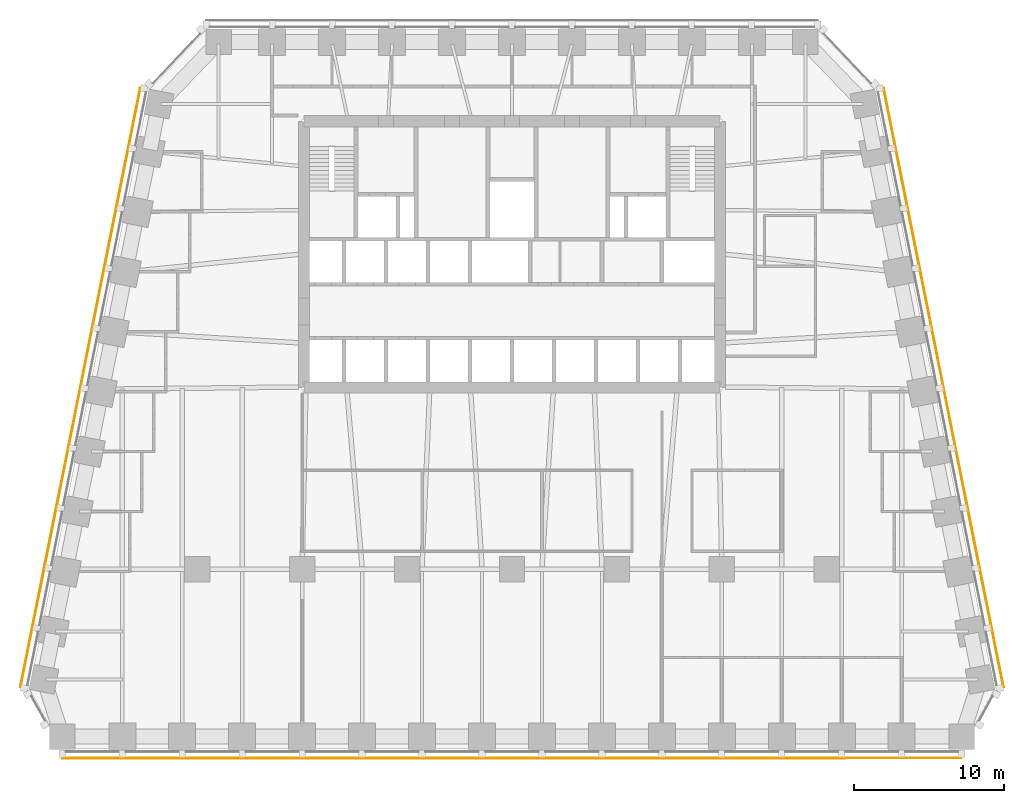
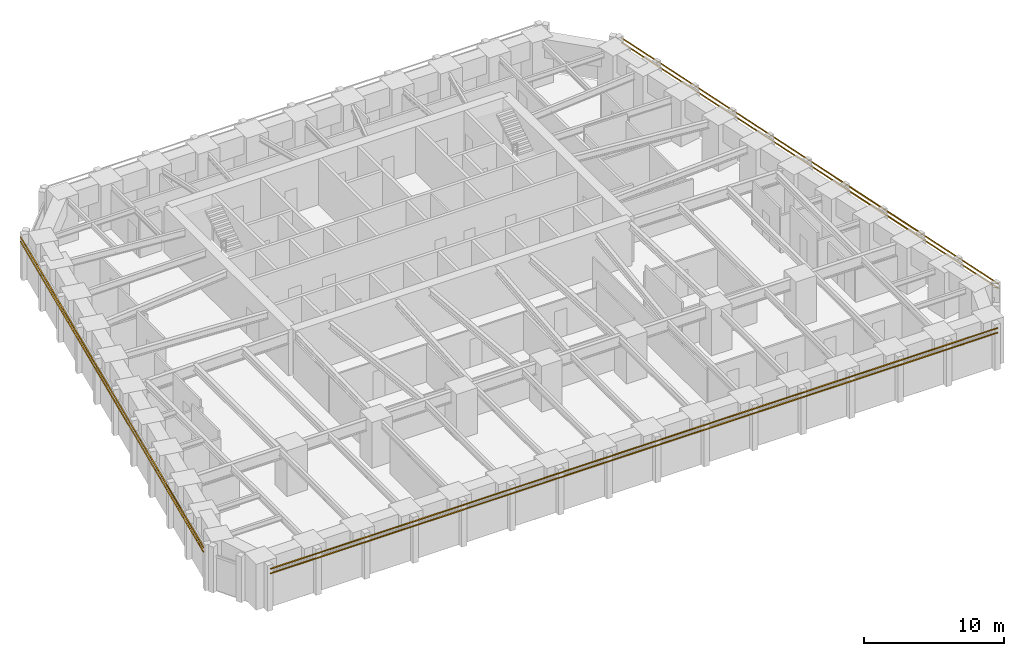
# One storey, part 9 of 10: 6 shading devices.
"""IFC4 building model written with IfcOpenShell, lengths in metres."""

from ifc_helpers import new_model, si_unit, direction, frame, origin, origin_2d, place, context, subcontext, project, spatial, rectangle, extrude, material, material_profile, profile_set, type_object, element, save


model = new_model("IFC4")

# Units and contexts
model_context = context("Model", 3, precision=1e-05, world=origin(), true_north=direction((0.0, 1.0)))
body_context = subcontext(model_context, "Body", "Model", "MODEL_VIEW")
ifc_project = project(units=[si_unit("LENGTHUNIT", "METRE"), si_unit("AREAUNIT", "SQUARE_METRE"), si_unit("VOLUMEUNIT", "CUBIC_METRE"), si_unit("PLANEANGLEUNIT", "RADIAN"), si_unit("MASSUNIT", "GRAM", prefix="KILO")], contexts=[model_context])

# Site, building, storey
site_placement = place(None, origin())
site = spatial("IfcSite", under=ifc_project, at=site_placement, CompositionType="ELEMENT")
building_placement = place(site_placement, origin())
building = spatial("IfcBuilding", under=site, at=building_placement, Name="Isbrekke Arena Tower", CompositionType="ELEMENT")
storey_placement = place(building_placement, frame((0.0, 0.0, 159.0)))
storey = spatial("IfcBuildingStorey", under=building, at=storey_placement, Name="L36", CompositionType="ELEMENT", Elevation=159.0)

# Shading devices
ifc_material = material(Name="Terracotta", Category="masonry")
ifc_material_profile = material_profile(ifc_material, rectangle(XDim=0.06005859375, YDim=0.06005859375, at=origin_2d()), Name="BAGUETTE 60X60")
ifc_profile_set = profile_set([ifc_material_profile], Name="Terracotta")
shading_device_type = type_object("IfcShadingDeviceType", Name="BG1 TERRACOTTA BAGUETTE 60 x 60", PredefinedType="USERDEFINED", material=ifc_profile_set)
for number, where, z_axis, x_axis, name in (
    (1, (-30.0, -18.60498046875, 3.280029296875), (1.0, 0.0, 0.0), (0.0, 1.0, 0.0), "BG1 terracotta baguette S1 L36"),
    (2, (-30.0, -18.60498046875, 3.679931640625), (1.0, 0.0, 0.0), (0.0, 1.0, 0.0), "BG1 terracotta baguette S2 L36"),
):
    element("IfcShadingDevice", number, at=place(storey_placement, frame(where, z_axis=z_axis, x_axis=x_axis)), inside=storey, type_object=shading_device_type, Name=name, ObjectType="TERRACOTTA BAGUETTE", PredefinedType="USERDEFINED", context=body_context, shape_type="SweptSolid", body=[
        extrude(rectangle(XDim=0.06005859375, YDim=0.06005859375, at=origin_2d()), origin(), (0.0, 0.0, 1.0), 60.0),
    ])
for number, where, z_axis, x_axis, name in (
    (3, (32.793212890625, -13.88134765625, 3.280029296875), (-0.196116135138, 0.980580675691, 0.0), (-0.980580675691, -0.196116135138, 0.0), "BG1 terracotta baguette E1 L36"),
    (4, (32.793212890625, -13.88134765625, 3.679931640625), (-0.196116135138, 0.980580675691, 0.0), (-0.980580675691, -0.196116135138, 0.0), "BG1 terracotta baguette E2 L36"),
    (5, (-24.793212890625, 26.11865234375, 3.280029296875), (-0.196116135138, -0.980580675691, 0.0), (0.980580675691, -0.196116135138, 0.0), "BG1 terracotta baguette W1 L36"),
    (6, (-24.793212890625, 26.11865234375, 3.679931640625), (-0.196116135138, -0.980580675691, 0.0), (0.980580675691, -0.196116135138, 0.0), "BG1 terracotta baguette W2 L36"),
):
    element("IfcShadingDevice", number, at=place(storey_placement, frame(where, z_axis=z_axis, x_axis=x_axis)), inside=storey, type_object=shading_device_type, Name=name, ObjectType="TERRACOTTA BAGUETTE", PredefinedType="USERDEFINED", context=body_context, shape_type="SweptSolid", body=[
        extrude(rectangle(XDim=0.06005859375, YDim=0.06005859375, at=origin_2d()), origin(), (0.0, 0.0, 1.0), 40.792236328125),
    ])

save(model, "model.ifc")
